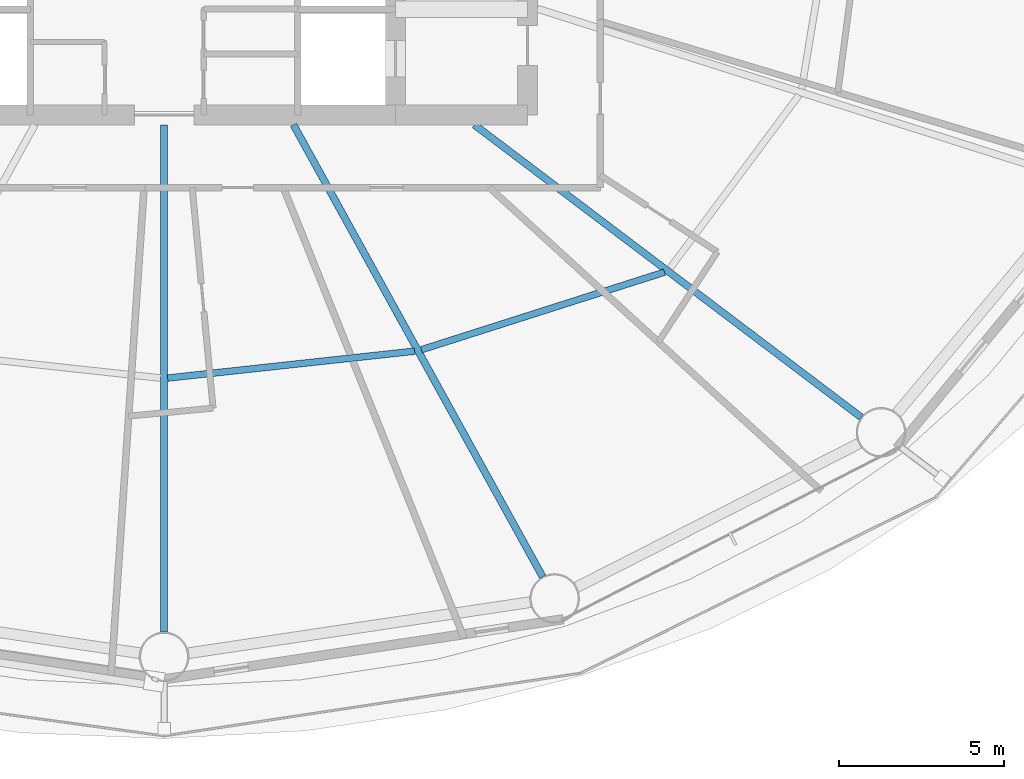
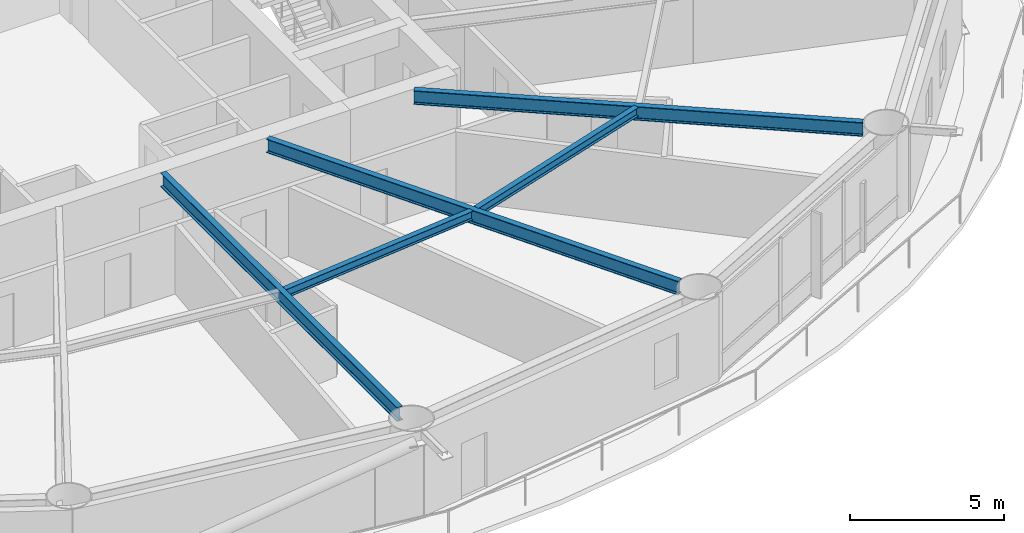
# One storey, part 7 of 28: 5 beams.
"""IFC4 building model written with IfcOpenShell, lengths in metres."""

from ifc_helpers import new_model, si_unit, direction, frame, origin, origin_2d, place, context, subcontext, project, spatial, i_section, extrude, material, material_profile, profile_set, type_object, element, save


model = new_model("IFC4")

# Units and contexts
model_context = context("Model", 3, precision=1e-05, world=origin(), true_north=direction((0.0, 1.0)))
body_context = subcontext(model_context, "Body", "Model", "MODEL_VIEW")
ifc_project = project(units=[si_unit("LENGTHUNIT", "METRE"), si_unit("AREAUNIT", "SQUARE_METRE"), si_unit("VOLUMEUNIT", "CUBIC_METRE"), si_unit("PLANEANGLEUNIT", "RADIAN"), si_unit("MASSUNIT", "GRAM", prefix="KILO")], contexts=[model_context])

# Site, building, storey
site_placement = place(None, origin())
site = spatial("IfcSite", under=ifc_project, at=site_placement, CompositionType="ELEMENT")
building_placement = place(site_placement, origin())
building = spatial("IfcBuilding", under=site, at=building_placement, Name="Sarneth Arch Tower", CompositionType="ELEMENT")
storey_placement = place(building_placement, frame((0.0, 0.0, 67.800048828125)))
storey = spatial("IfcBuildingStorey", under=building, at=storey_placement, Name="L16", CompositionType="ELEMENT", Elevation=67.800048828125)

# Beams
ifc_material_1 = material(Name="Steel S355", Category="steel")
ifc_material_profile_1 = material_profile(ifc_material_1, i_section(OverallWidth=0.202880859375, OverallDepth=0.346923828125, WebThickness=0.0078125, FlangeThickness=0.013427734375, FilletRadius=0.014892578125, at=origin_2d()), Name="W360x64")
ifc_profile_set_1 = profile_set([ifc_material_profile_1], Name="Steel S355")
beam_type_1 = type_object("IfcBeamType", Name="BM-JOIST-360C", PredefinedType="JOIST", material=ifc_profile_set_1)
beam_1_placement = place(storey_placement, frame((48.1064453125, 27.236572265625, 3.20654296875), z_axis=(0.994129966112, 0.108192469602, 0.0), x_axis=(-0.108192469602, 0.994129966112, 0.0)))
element("IfcBeam", 1, at=beam_1_placement, inside=storey, type_object=beam_type_1, Name="L16 Secondary floor joist 13", PredefinedType="JOIST", context=body_context, shape_type="SweptSolid", body=[
    extrude(i_section(OverallWidth=0.202880859375, OverallDepth=0.346923828125, WebThickness=0.0078125, FlangeThickness=0.013427734375, FilletRadius=0.014892578125, at=origin_2d()), origin(), (0.0, 0.0, 1.0), 7.5166015625),
])
beam_2_placement = place(storey_placement, frame((55.787109375, 28.093994140625, 3.20654296875), z_axis=(0.95266836992, 0.304011475036, 0.0), x_axis=(-0.304011475036, 0.95266836992, 0.0)))
element("IfcBeam", 2, at=beam_2_placement, inside=storey, type_object=beam_type_1, Name="L16 Secondary floor joist 14", PredefinedType="JOIST", context=body_context, shape_type="SweptSolid", body=[
    extrude(i_section(OverallWidth=0.202880859375, OverallDepth=0.346923828125, WebThickness=0.0078125, FlangeThickness=0.013427734375, FilletRadius=0.014892578125, at=origin_2d()), origin(), (0.0, 0.0, 1.0), 7.720703125),
])
ifc_material_2 = material(Name="Steel S355", Category="steel")
ifc_material_profile_2 = material_profile(ifc_material_2, i_section(OverallWidth=0.214111328125, OverallDepth=0.549072265625, WebThickness=0.0146484375, FlangeThickness=0.023681640625, FilletRadius=0.01806640625, at=origin_2d()), Name="W530x138")
ifc_profile_set_2 = profile_set([ifc_material_profile_2], Name="Steel S355")
beam_type_2 = type_object("IfcBeamType", Name="BM-RAD-530A", PredefinedType="BEAM", material=ifc_profile_set_2)
beam_3_placement = place(storey_placement, frame((48.0, 34.89990234375, 3.10546875), z_axis=(0.0, -1.0, 0.0), x_axis=(1.0, 0.0, 0.0)))
element("IfcBeam", 3, at=beam_3_placement, inside=storey, type_object=beam_type_2, Name="L16 Radial floor girder 13", PredefinedType="BEAM", context=body_context, shape_type="SweptSolid", body=[
    extrude(i_section(OverallWidth=0.214111328125, OverallDepth=0.549072265625, WebThickness=0.0146484375, FlangeThickness=0.023681640625, FilletRadius=0.01806640625, at=origin_2d()), origin(), (0.0, 0.0, 1.0), 15.349853515625),
])
beam_4_placement = place(storey_placement, frame((51.91455078125, 34.89990234375, 3.10546875), z_axis=(0.482841370957, -0.875707833979, 0.0), x_axis=(0.875707833979, 0.482841370957, 0.0)))
element("IfcBeam", 4, at=beam_4_placement, inside=storey, type_object=beam_type_2, Name="L16 Radial floor girder 14", PredefinedType="BEAM", context=body_context, shape_type="SweptSolid", body=[
    extrude(i_section(OverallWidth=0.214111328125, OverallDepth=0.549072265625, WebThickness=0.0146484375, FlangeThickness=0.023681640625, FilletRadius=0.01806640625, at=origin_2d()), origin(), (0.0, 0.0, 1.0), 15.618408203125),
])
beam_5_placement = place(storey_placement, frame((57.390380859375, 34.89990234375, 3.10546875), z_axis=(0.79765464731, -0.603114469753, 0.0), x_axis=(0.603114469753, 0.79765464731, 0.0)))
element("IfcBeam", 5, at=beam_5_placement, inside=storey, type_object=beam_type_2, Name="L16 Radial floor girder 15", PredefinedType="BEAM", context=body_context, shape_type="SweptSolid", body=[
    extrude(i_section(OverallWidth=0.214111328125, OverallDepth=0.549072265625, WebThickness=0.0146484375, FlangeThickness=0.023681640625, FilletRadius=0.01806640625, at=origin_2d()), origin(), (0.0, 0.0, 1.0), 14.677978515625),
])

save(model, "model.ifc")
